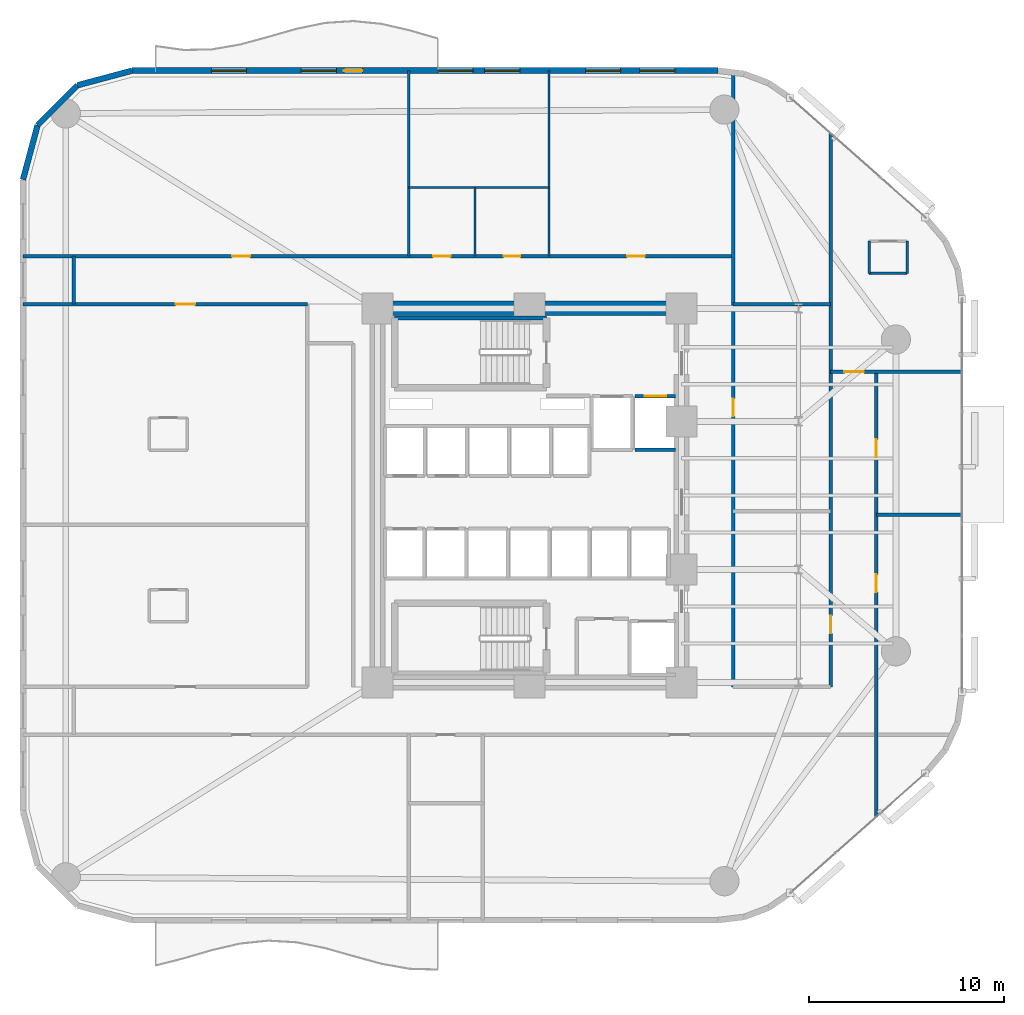
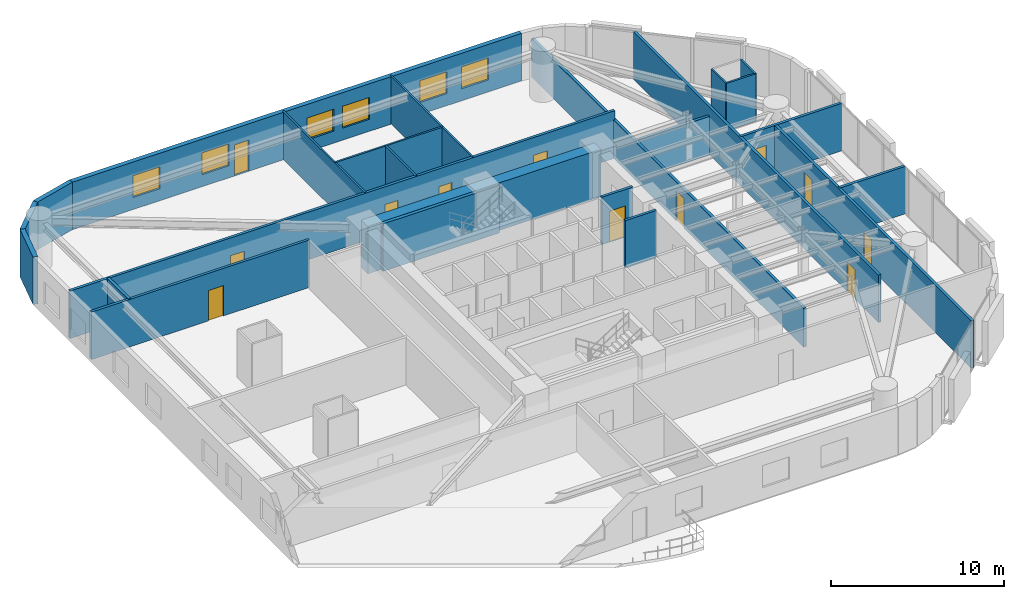
# One storey, part 12 of 16: 24 walls, 12 doors, 6 windows, 18 openings.
"""IFC4 building model written with IfcOpenShell, lengths in metres."""

from ifc_helpers import new_model, si_unit, direction, frame, frame_2d, origin, place, context, subcontext, project, spatial, rectangle, extrude, material, layer, layer_set, type_object, element, fill, save


model = new_model("IFC4")

# Units and contexts
model_context = context("Model", 3, precision=1e-05, world=origin(), true_north=direction((0.0, 1.0)))
body_context = subcontext(model_context, "Body", "Model", "MODEL_VIEW")
ifc_project = project(units=[si_unit("LENGTHUNIT", "METRE"), si_unit("AREAUNIT", "SQUARE_METRE"), si_unit("VOLUMEUNIT", "CUBIC_METRE"), si_unit("PLANEANGLEUNIT", "RADIAN"), si_unit("MASSUNIT", "GRAM", prefix="KILO")], contexts=[model_context])

# Site, building, storey
site_placement = place(None, origin())
site = spatial("IfcSite", under=ifc_project, at=site_placement, CompositionType="ELEMENT")
building_placement = place(site_placement, origin())
building = spatial("IfcBuilding", under=site, at=building_placement, Name="An Khanh Terracotta Commons", CompositionType="ELEMENT")
storey_placement = place(building_placement, frame((0.0, 0.0, 72.0)))
storey = spatial("IfcBuildingStorey", under=building, at=storey_placement, Name="L19", CompositionType="ELEMENT", Elevation=72.0)

# Wall
ifc_material_1 = material(Name="Concrete C70/85", Category="concrete")
ifc_layer_1 = layer(ifc_material_1, 0.75, Name="Concrete C70/85")
ifc_layer_set_1 = layer_set([ifc_layer_1], Name="Concrete C70/85")
wall_type_1 = type_object("IfcWallType", Name="WALL-CORE-750", PredefinedType="SHEAR", material=ifc_layer_set_1)
wall_1_placement = place(storey_placement, frame((21.60009765625, 33.60009765625, 0.0), z_axis=(0.0, 0.0, 1.0), x_axis=(1.0, 0.0, 0.0)))
element("IfcWall", 1, at=wall_1_placement, inside=storey, type_object=wall_type_1, Name="L19 Core Wall CWALL-L19-N", PredefinedType="SHEAR", context=body_context, shape_type="SweptSolid", body=[
    extrude(rectangle(XDim=15.599853515625, YDim=0.75, at=frame_2d((7.7998046875, 0.0))), origin(), (0.0, 0.0, 1.0), 3.360107421875),
])

# Wall, opening, door
ifc_material_2 = material(Name="Fire-Rated Gypsum Board on Steel Stud", Category="steel")
ifc_layer_2 = layer(ifc_material_2, 0.179931640625, Name="Fire-Rated Gypsum Board on Steel Stud")
ifc_layer_set_2 = layer_set([ifc_layer_2], Name="Fire-Rated Gypsum Board on Steel Stud")
wall_type_2 = type_object("IfcWallType", Name="WALL-CORR-180", PredefinedType="PARTITIONING", material=ifc_layer_set_2)
wall_2_placement = place(storey_placement, frame((34.820068359375, 29.080078125, 0.0), z_axis=(0.0, 0.0, 1.0), x_axis=(1.0, 0.0, 0.0)))
wall_2 = element("IfcWall", 2, at=wall_2_placement, inside=storey, type_object=wall_type_2, Name="L19 Core Wall LSH-L19-FFL-02-N", PredefinedType="PARTITIONING", context=body_context, shape_type="SweptSolid", body=[
    extrude(rectangle(XDim=2.079833984375, YDim=0.179931640625, at=frame_2d((1.0400390625, 0.0))), origin(), (0.0, 0.0, 1.0), 3.360107421875),
])
opening_1_placement = place(wall_2_placement, frame((0.489990234375, 0.0, 0.0)))
opening_1 = element("IfcOpeningElement", 3, at=opening_1_placement, cuts=wall_2, Name="Opening LD-FFL-02-L19", PredefinedType="OPENING", context=body_context, shape_type="SweptSolid", body=[
    extrude(rectangle(XDim=1.10009765625, YDim=2.199951171875, at=frame_2d((0.550048828125, 1.10009765625))), frame((0.0, 0.099853515625, 0.0), z_axis=(0.0, -1.0, 0.0), x_axis=(1.0, 0.0, 0.0)), (0.0, 0.0, 1.0), 0.199951171875),
])
ifc_material_3 = material(Name="Brushed Stainless Steel Fire Landing Door", Category="steel")
door_type_1 = type_object("IfcDoorType", Name="DOOR-LD-FFL-1100", OperationType="NOTDEFINED", PredefinedType="DOOR", material=ifc_material_3)
door_1_placement = place(opening_1_placement, origin())
door_1 = element("IfcDoor", 4, at=door_1_placement, inside=storey, type_object=door_type_1, Name="L19 Lift FFL-02 Sliding Landing Door", OperationType="DOUBLE_DOOR_SLIDING", OverallHeight=2.199951171875, OverallWidth=1.10009765625, PredefinedType="DOOR", context=body_context, shape_type="SweptSolid", body=[
    extrude(rectangle(XDim=1.10009765625, YDim=2.199951171875, at=frame_2d((0.550048828125, 1.10009765625))), frame((0.0, 0.02490234375, 0.0), z_axis=(0.0, -1.0, 0.0), x_axis=(1.0, 0.0, 0.0)), (0.0, 0.0, 1.0), 0.050048828125),
])
fill(opening_1, door_1)

# Walls
wall_3_placement = place(storey_placement, frame((36.89990234375, 26.35009765625, 0.0), z_axis=(0.0, 0.0, 1.0), x_axis=(-1.0, 0.0, 0.0)))
element("IfcWall", 5, at=wall_3_placement, inside=storey, type_object=wall_type_2, Name="L19 Core Wall LSH-L19-FFL-02-S", PredefinedType="PARTITIONING", context=body_context, shape_type="SweptSolid", body=[
    extrude(rectangle(XDim=2.079833984375, YDim=0.179931640625, at=frame_2d((1.0400390625, 0.0))), origin(), (0.0, 0.0, 1.0), 3.360107421875),
])
wall_4_placement = place(storey_placement, frame((47.199951171875, 23.0, 0.0), z_axis=(0.0, 0.0, 1.0), x_axis=(1.0, 0.0, 0.0)))
element("IfcWall", 6, at=wall_4_placement, inside=storey, type_object=wall_type_2, Name="L19 Interior Partition IW-L19-E006", PredefinedType="PARTITIONING", context=body_context, shape_type="SweptSolid", body=[
    extrude(rectangle(XDim=4.400146484375, YDim=0.179931640625, at=frame_2d((2.2001953125, 0.0))), origin(), (0.0, 0.0, 1.0), 3.360107421875),
])

# Wall, opening, door
wall_5_placement = place(storey_placement, frame((44.85009765625, 30.35009765625, 0.0), z_axis=(0.0, 0.0, 1.0), x_axis=(1.0, 0.0, 0.0)))
wall_5 = element("IfcWall", 7, at=wall_5_placement, inside=storey, type_object=wall_type_2, Name="L19 Interior Partition IW-L19-E008", PredefinedType="PARTITIONING", context=body_context, shape_type="SweptSolid", body=[
    extrude(rectangle(XDim=6.75, YDim=0.179931640625, at=frame_2d((3.375, 0.0))), origin(), (0.0, 0.0, 1.0), 3.360107421875),
])
opening_2_placement = place(wall_5_placement, frame((0.708984375, 0.0, 0.0)))
opening_2 = element("IfcOpeningElement", 8, at=opening_2_placement, cuts=wall_5, Name="Opening D-UN", PredefinedType="OPENING", context=body_context, shape_type="SweptSolid", body=[
    extrude(rectangle(XDim=1.0, YDim=2.14990234375, at=frame_2d((0.5, 1.074951171875))), frame((0.0, 0.099853515625, 0.0), z_axis=(0.0, -1.0, 0.0), x_axis=(1.0, 0.0, 0.0)), (0.0, 0.0, 1.0), 0.199951171875),
])
ifc_material_4 = material(Name="Solid-Core Hardwood Acoustic Fire Door", Category="wood")
door_type_2 = type_object("IfcDoorType", Name="DOOR-UNIT-1000", OperationType="NOTDEFINED", PredefinedType="DOOR", material=ifc_material_4)
door_2_placement = place(opening_2_placement, origin())
door_2 = element("IfcDoor", 9, at=door_2_placement, inside=storey, type_object=door_type_2, Name="L19 NCAP Kitchenette and Studio Apartment Door", OperationType="SINGLE_SWING_RIGHT", OverallHeight=2.14990234375, OverallWidth=1.0, PredefinedType="DOOR", context=body_context, shape_type="SweptSolid", body=[
    extrude(rectangle(XDim=1.0, YDim=2.14990234375, at=frame_2d((0.5, 1.074951171875))), frame((0.0, 0.02490234375, 0.0), z_axis=(0.0, -1.0, 0.0), x_axis=(1.0, 0.0, 0.0)), (0.0, 0.0, 1.0), 0.050048828125),
])
fill(opening_2, door_2)

wall_6_placement = place(storey_placement, frame((3.39990234375, 33.820068359375, 0.0), z_axis=(0.0, 0.0, 1.0), x_axis=(1.0, 0.0, 0.0)))
wall_6 = element("IfcWall", 10, at=wall_6_placement, inside=storey, type_object=wall_type_2, Name="L19 Interior Partition IW-L19-E010", PredefinedType="PARTITIONING", context=body_context, shape_type="SweptSolid", body=[
    extrude(rectangle(XDim=14.60009765625, YDim=0.179931640625, at=frame_2d((7.300048828125, 0.0))), origin(), (0.0, 0.0, 1.0), 3.360107421875),
])
opening_3_placement = place(wall_6_placement, frame((7.840087890625, 0.0, 0.0)))
opening_3 = element("IfcOpeningElement", 11, at=opening_3_placement, cuts=wall_6, Name="Opening D-UN", PredefinedType="OPENING", context=body_context, shape_type="SweptSolid", body=[
    extrude(rectangle(XDim=1.0, YDim=2.14990234375, at=frame_2d((0.5, 1.074951171875))), frame((0.0, 0.099853515625, 0.0), z_axis=(0.0, -1.0, 0.0), x_axis=(1.0, 0.0, 0.0)), (0.0, 0.0, 1.0), 0.199951171875),
])
door_3_placement = place(opening_3_placement, origin())
door_3 = element("IfcDoor", 12, at=door_3_placement, inside=storey, type_object=door_type_2, Name="L19 WW2 Kitchenette and Studio Apartment Door", OperationType="SINGLE_SWING_RIGHT", OverallHeight=2.14990234375, OverallWidth=1.0, PredefinedType="DOOR", context=body_context, shape_type="SweptSolid", body=[
    extrude(rectangle(XDim=1.0, YDim=2.14990234375, at=frame_2d((0.5, 1.074951171875))), frame((0.0, 0.02490234375, 0.0), z_axis=(0.0, -1.0, 0.0), x_axis=(1.0, 0.0, 0.0)), (0.0, 0.0, 1.0), 0.050048828125),
])
fill(opening_3, door_3)

# Wall
wall_7_placement = place(storey_placement, frame((39.85009765625, 33.820068359375, 0.0), z_axis=(0.0, 0.0, 1.0), x_axis=(1.0, 0.0, 0.0)))
element("IfcWall", 13, at=wall_7_placement, inside=storey, type_object=wall_type_2, Name="L19 Interior Partition IW-L19-E011", PredefinedType="PARTITIONING", context=body_context, shape_type="SweptSolid", body=[
    extrude(rectangle(XDim=5.0, YDim=0.179931640625, at=frame_2d((2.5, 0.0))), origin(), (0.0, 0.0, 1.0), 2.741943359375),
])

# Wall, openings, doors
wall_8_placement = place(storey_placement, frame((3.39990234375, 36.280029296875, 0.0), z_axis=(0.0, 0.0, 1.0), x_axis=(1.0, 0.0, 0.0)))
wall_8 = element("IfcWall", 14, at=wall_8_placement, inside=storey, type_object=wall_type_2, Name="L19 Interior Partition IW-L19-E012", PredefinedType="PARTITIONING", context=body_context, shape_type="SweptSolid", body=[
    extrude(rectangle(XDim=36.4501953125, YDim=0.179931640625, at=frame_2d((18.22509765625, 0.0))), origin(), (0.0, 0.0, 1.0), 3.360107421875),
])
opening_4_placement = place(wall_8_placement, frame((21.050048828125, 0.0, 0.0)))
opening_4 = element("IfcOpeningElement", 15, at=opening_4_placement, cuts=wall_8, Name="Opening D-WC", PredefinedType="OPENING", context=body_context, shape_type="SweptSolid", body=[
    extrude(rectangle(XDim=0.89990234375, YDim=2.10009765625, at=frame_2d((0.449951171875, 1.050048828125))), frame((0.0, 0.099853515625, 0.0), z_axis=(0.0, -1.0, 0.0), x_axis=(1.0, 0.0, 0.0)), (0.0, 0.0, 1.0), 0.199951171875),
])
opening_5_placement = place(wall_8_placement, frame((24.669921875, 0.0, 0.0)))
opening_5 = element("IfcOpeningElement", 16, at=opening_5_placement, cuts=wall_8, Name="Opening D-ENS", PredefinedType="OPENING", context=body_context, shape_type="SweptSolid", body=[
    extrude(rectangle(XDim=0.860107421875, YDim=2.10009765625, at=frame_2d((0.43017578125, 1.050048828125))), frame((0.0, 0.099853515625, 0.0), z_axis=(0.0, -1.0, 0.0), x_axis=(1.0, 0.0, 0.0)), (0.0, 0.0, 1.0), 0.199951171875),
])
opening_6_placement = place(wall_8_placement, frame((10.739990234375, 0.0, 0.0)))
opening_6 = element("IfcOpeningElement", 17, at=opening_6_placement, cuts=wall_8, Name="Opening D-RM", PredefinedType="OPENING", context=body_context, shape_type="SweptSolid", body=[
    extrude(rectangle(XDim=0.919921875, YDim=2.10009765625, at=frame_2d((0.4599609375, 1.050048828125))), frame((0.0, 0.099853515625, 0.0), z_axis=(0.0, -1.0, 0.0), x_axis=(1.0, 0.0, 0.0)), (0.0, 0.0, 1.0), 0.199951171875),
])
opening_7_placement = place(wall_8_placement, frame((31.0048828125, 0.0, 0.0)))
opening_7 = element("IfcOpeningElement", 18, at=opening_7_placement, cuts=wall_8, Name="Opening D-RM", PredefinedType="OPENING", context=body_context, shape_type="SweptSolid", body=[
    extrude(rectangle(XDim=0.919921875, YDim=2.10009765625, at=frame_2d((0.4599609375, 1.050048828125))), frame((0.0, 0.099853515625, 0.0), z_axis=(0.0, -1.0, 0.0), x_axis=(1.0, 0.0, 0.0)), (0.0, 0.0, 1.0), 0.199951171875),
])
ifc_material_5 = material(Name="Moisture-Resistant Hardwood Timber Leaf", Category="wood")
door_type_3 = type_object("IfcDoorType", Name="DOOR-BATH-860", OperationType="NOTDEFINED", PredefinedType="DOOR", material=ifc_material_5)
door_4_placement = place(opening_5_placement, origin())
door_4 = element("IfcDoor", 19, at=door_4_placement, inside=storey, type_object=door_type_3, Name="L19 SHW Resident Shared Shower and Washroom Door", OperationType="SINGLE_SWING_RIGHT", OverallHeight=2.10009765625, OverallWidth=0.860107421875, PredefinedType="DOOR", context=body_context, shape_type="SweptSolid", body=[
    extrude(rectangle(XDim=0.860107421875, YDim=2.10009765625, at=frame_2d((0.43017578125, 1.050048828125))), frame((0.0, 0.02490234375, 0.0), z_axis=(0.0, -1.0, 0.0), x_axis=(1.0, 0.0, 0.0)), (0.0, 0.0, 1.0), 0.050048828125),
])
fill(opening_5, door_4)
ifc_material_6 = material(Name="Engineered Hardwood Timber Leaf", Category="wood")
door_type_4 = type_object("IfcDoorType", Name="DOOR-INT-920", OperationType="NOTDEFINED", PredefinedType="DOOR", material=ifc_material_6)
door_5_placement = place(opening_6_placement, origin())
door_5 = element("IfcDoor", 20, at=door_5_placement, inside=storey, type_object=door_type_4, Name="L19 NW1 Academic Seminar Room Door", OperationType="SINGLE_SWING_LEFT", OverallHeight=2.10009765625, OverallWidth=0.919921875, PredefinedType="DOOR", context=body_context, shape_type="SweptSolid", body=[
    extrude(rectangle(XDim=0.919921875, YDim=2.10009765625, at=frame_2d((0.4599609375, 1.050048828125))), frame((0.0, 0.02490234375, 0.0), z_axis=(0.0, -1.0, 0.0), x_axis=(1.0, 0.0, 0.0)), (0.0, 0.0, 1.0), 0.050048828125),
])
fill(opening_6, door_5)
door_6_placement = place(opening_7_placement, origin())
door_6 = element("IfcDoor", 21, at=door_6_placement, inside=storey, type_object=door_type_4, Name="L19 NWE Academic Seminar Room Door", OperationType="SINGLE_SWING_RIGHT", OverallHeight=2.10009765625, OverallWidth=0.919921875, PredefinedType="DOOR", context=body_context, shape_type="SweptSolid", body=[
    extrude(rectangle(XDim=0.919921875, YDim=2.10009765625, at=frame_2d((0.4599609375, 1.050048828125))), frame((0.0, 0.02490234375, 0.0), z_axis=(0.0, -1.0, 0.0), x_axis=(1.0, 0.0, 0.0)), (0.0, 0.0, 1.0), 0.050048828125),
])
fill(opening_7, door_6)
ifc_material_7 = material(Name="Laminate Moisture-Resistant Timber Leaf", Category="wood")
door_type_5 = type_object("IfcDoorType", Name="DOOR-WC-900", OperationType="NOTDEFINED", PredefinedType="DOOR", material=ifc_material_7)
door_7_placement = place(opening_4_placement, origin())
door_7 = element("IfcDoor", 22, at=door_7_placement, inside=storey, type_object=door_type_5, Name="L19 AWC Accessible WC Door", OperationType="SINGLE_SWING_LEFT", OverallHeight=2.10009765625, OverallWidth=0.89990234375, PredefinedType="DOOR", context=body_context, shape_type="SweptSolid", body=[
    extrude(rectangle(XDim=0.89990234375, YDim=2.10009765625, at=frame_2d((0.449951171875, 1.050048828125))), frame((0.0, 0.02490234375, 0.0), z_axis=(0.0, -1.0, 0.0), x_axis=(1.0, 0.0, 0.0)), (0.0, 0.0, 1.0), 0.050048828125),
])
fill(opening_4, door_7)

# Wall
wall_9_placement = place(storey_placement, frame((6.0, 33.820068359375, 0.0), z_axis=(0.0, 0.0, 1.0), x_axis=(0.0, 1.0, 0.0)))
element("IfcWall", 23, at=wall_9_placement, inside=storey, type_object=wall_type_2, Name="L19 Interior Partition IW-L19-E015", PredefinedType="PARTITIONING", context=body_context, shape_type="SweptSolid", body=[
    extrude(rectangle(XDim=2.4599609375, YDim=0.179931640625, at=frame_2d((1.22998046875, 0.0))), origin(), (0.0, 0.0, 1.0), 3.360107421875),
])

# Wall, opening, door
wall_10_placement = place(storey_placement, frame((39.85009765625, 14.179931640625, 0.0), z_axis=(0.0, 0.0, 1.0), x_axis=(0.0, 1.0, 0.0)))
wall_10 = element("IfcWall", 24, at=wall_10_placement, inside=storey, type_object=wall_type_2, Name="L19 Interior Partition IW-L19-E023", PredefinedType="PARTITIONING", context=body_context, shape_type="SweptSolid", body=[
    extrude(rectangle(XDim=31.527099609375, YDim=0.179931640625, at=frame_2d((15.763671875, 0.0))), origin(), (0.0, 0.0, 1.0), 2.741943359375),
])
opening_8_placement = place(wall_10_placement, frame((13.8701171875, 0.0, 0.0)))
opening_8 = element("IfcOpeningElement", 25, at=opening_8_placement, cuts=wall_10, Name="Opening D-RM", PredefinedType="OPENING", context=body_context, shape_type="SweptSolid", body=[
    extrude(rectangle(XDim=0.919921875, YDim=2.10009765625, at=frame_2d((0.4599609375, 1.050048828125))), frame((0.0, 0.099853515625, 0.0), z_axis=(0.0, -1.0, 0.0), x_axis=(1.0, 0.0, 0.0)), (0.0, 0.0, 1.0), 0.199951171875),
])
door_8_placement = place(opening_8_placement, origin())
door_8 = element("IfcDoor", 26, at=door_8_placement, inside=storey, type_object=door_type_4, Name="L19 WSP2 Academic Seminar Room Door", OperationType="SINGLE_SWING_LEFT", OverallHeight=2.10009765625, OverallWidth=0.919921875, PredefinedType="DOOR", context=body_context, shape_type="SweptSolid", body=[
    extrude(rectangle(XDim=0.919921875, YDim=2.10009765625, at=frame_2d((0.4599609375, 1.050048828125))), frame((0.0, 0.02490234375, 0.0), z_axis=(0.0, -1.0, 0.0), x_axis=(1.0, 0.0, 0.0)), (0.0, 0.0, 1.0), 0.050048828125),
])
fill(opening_8, door_8)

wall_11_placement = place(storey_placement, frame((44.85009765625, 14.179931640625, 0.0), z_axis=(0.0, 0.0, 1.0), x_axis=(0.0, 1.0, 0.0)))
wall_11 = element("IfcWall", 27, at=wall_11_placement, inside=storey, type_object=wall_type_2, Name="L19 Interior Partition IW-L19-E024", PredefinedType="PARTITIONING", context=body_context, shape_type="SweptSolid", body=[
    extrude(rectangle(XDim=28.39111328125, YDim=0.179931640625, at=frame_2d((14.195556640625, 0.0))), origin(), (0.0, 0.0, 1.0), 3.360107421875),
])
opening_9_placement = place(wall_11_placement, frame((2.73388671875, 0.0, 0.0)))
opening_9 = element("IfcOpeningElement", 28, at=opening_9_placement, cuts=wall_11, Name="Opening D-RM", PredefinedType="OPENING", context=body_context, shape_type="SweptSolid", body=[
    extrude(rectangle(XDim=0.919921875, YDim=2.10009765625, at=frame_2d((0.4599609375, 1.050048828125))), frame((0.0, 0.099853515625, 0.0), z_axis=(0.0, -1.0, 0.0), x_axis=(1.0, 0.0, 0.0)), (0.0, 0.0, 1.0), 0.199951171875),
])
door_9_placement = place(opening_9_placement, origin())
door_9 = element("IfcDoor", 29, at=door_9_placement, inside=storey, type_object=door_type_4, Name="L19 WSP1 Collaborative Study Lounge Door", OperationType="SINGLE_SWING_RIGHT", OverallHeight=2.10009765625, OverallWidth=0.919921875, PredefinedType="DOOR", context=body_context, shape_type="SweptSolid", body=[
    extrude(rectangle(XDim=0.919921875, YDim=2.10009765625, at=frame_2d((0.4599609375, 1.050048828125))), frame((0.0, 0.02490234375, 0.0), z_axis=(0.0, -1.0, 0.0), x_axis=(1.0, 0.0, 0.0)), (0.0, 0.0, 1.0), 0.050048828125),
])
fill(opening_9, door_9)

# Wall, openings, doors
wall_12_placement = place(storey_placement, frame((47.199951171875, 7.508056640625, 0.0), z_axis=(0.0, 0.0, 1.0), x_axis=(0.0, 1.0, 0.0)))
wall_12 = element("IfcWall", 30, at=wall_12_placement, inside=storey, type_object=wall_type_2, Name="L19 Interior Partition IW-L19-E025", PredefinedType="PARTITIONING", context=body_context, shape_type="SweptSolid", body=[
    extrude(rectangle(XDim=22.842041015625, YDim=0.179931640625, at=frame_2d((11.4208984375, 0.0))), origin(), (0.0, 0.0, 1.0), 3.360107421875),
])
opening_10_placement = place(wall_12_placement, frame((18.447021484375, 0.0, 0.0)))
opening_10 = element("IfcOpeningElement", 31, at=opening_10_placement, cuts=wall_12, Name="Opening D-RM", PredefinedType="OPENING", context=body_context, shape_type="SweptSolid", body=[
    extrude(rectangle(XDim=0.919921875, YDim=2.10009765625, at=frame_2d((0.4599609375, 1.050048828125))), frame((0.0, 0.099853515625, 0.0), z_axis=(0.0, -1.0, 0.0), x_axis=(1.0, 0.0, 0.0)), (0.0, 0.0, 1.0), 0.199951171875),
])
opening_11_placement = place(wall_12_placement, frame((11.52392578125, 0.0, 0.0)))
opening_11 = element("IfcOpeningElement", 32, at=opening_11_placement, cuts=wall_12, Name="Opening D-RM", PredefinedType="OPENING", context=body_context, shape_type="SweptSolid", body=[
    extrude(rectangle(XDim=0.919921875, YDim=2.10009765625, at=frame_2d((0.4599609375, 1.050048828125))), frame((0.0, 0.099853515625, 0.0), z_axis=(0.0, -1.0, 0.0), x_axis=(1.0, 0.0, 0.0)), (0.0, 0.0, 1.0), 0.199951171875),
])
door_10_placement = place(opening_10_placement, origin())
door_10 = element("IfcDoor", 33, at=door_10_placement, inside=storey, type_object=door_type_4, Name="L19 ENO1 Co-Living Private Bedroom Door", OperationType="SINGLE_SWING_LEFT", OverallHeight=2.10009765625, OverallWidth=0.919921875, PredefinedType="DOOR", context=body_context, shape_type="SweptSolid", body=[
    extrude(rectangle(XDim=0.919921875, YDim=2.10009765625, at=frame_2d((0.4599609375, 1.050048828125))), frame((0.0, 0.02490234375, 0.0), z_axis=(0.0, -1.0, 0.0), x_axis=(1.0, 0.0, 0.0)), (0.0, 0.0, 1.0), 0.050048828125),
])
fill(opening_10, door_10)
door_11_placement = place(opening_11_placement, origin())
door_11 = element("IfcDoor", 34, at=door_11_placement, inside=storey, type_object=door_type_4, Name="L19 ENO2 Co-Living Master Bedroom Door", OperationType="SINGLE_SWING_RIGHT", OverallHeight=2.10009765625, OverallWidth=0.919921875, PredefinedType="DOOR", context=body_context, shape_type="SweptSolid", body=[
    extrude(rectangle(XDim=0.919921875, YDim=2.10009765625, at=frame_2d((0.4599609375, 1.050048828125))), frame((0.0, 0.02490234375, 0.0), z_axis=(0.0, -1.0, 0.0), x_axis=(1.0, 0.0, 0.0)), (0.0, 0.0, 1.0), 0.050048828125),
])
fill(opening_11, door_11)

# Wall, openings, door, windows
ifc_material_8 = material(Name="Precast concrete C40/50", Category="concrete")
ifc_layer_3 = layer(ifc_material_8, 0.300048828125, Name="Precast concrete C40/50")
ifc_layer_set_3 = layer_set([ifc_layer_3], Name="Precast concrete C40/50")
wall_type_3 = type_object("IfcWallType", Name="WALL-EXT-300", PredefinedType="SOLIDWALL", material=ifc_layer_set_3)
wall_13_placement = place(storey_placement, frame((39.0791015625, 45.800048828125, 0.0), z_axis=(0.0, 0.0, 1.0), x_axis=(-1.0, 0.0, 0.0)))
wall_13 = element("IfcWall", 35, at=wall_13_placement, inside=storey, type_object=wall_type_3, Name="L19 Insulated Terracotta Exterior Wall 20", PredefinedType="SOLIDWALL", context=body_context, shape_type="SweptSolid", body=[
    extrude(rectangle(XDim=30.0791015625, YDim=0.300048828125, at=frame_2d((15.03955078125, 0.0))), origin(), (0.0, 0.0, 1.0), 3.360107421875),
])
opening_12_placement = place(wall_13_placement, frame((18.25390625, 0.0, 0.0)))
opening_12 = element("IfcOpeningElement", 36, at=opening_12_placement, cuts=wall_13, Name="Opening D-BAL", PredefinedType="OPENING", context=body_context, shape_type="SweptSolid", body=[
    extrude(rectangle(XDim=0.949951171875, YDim=2.199951171875, at=frame_2d((0.47509765625, 1.10009765625))), frame((0.0, 0.159912109375, 0.0), z_axis=(0.0, -1.0, 0.0), x_axis=(1.0, 0.0, 0.0)), (0.0, 0.0, 1.0), 0.320068359375),
])
opening_13_placement = place(wall_13_placement, frame((2.22607421875, 0.0, 0.85009765625)))
opening_13 = element("IfcOpeningElement", 37, at=opening_13_placement, cuts=wall_13, Name="Opening W-01", PredefinedType="OPENING", context=body_context, shape_type="SweptSolid", body=[
    extrude(rectangle(XDim=1.800048828125, YDim=1.550048828125, at=frame_2d((0.89990234375, 0.77490234375))), frame((0.0, 0.159912109375, 0.0), z_axis=(0.0, -1.0, 0.0), x_axis=(1.0, 0.0, 0.0)), (0.0, 0.0, 1.0), 0.320068359375),
])
opening_14_placement = place(wall_13_placement, frame((5.0029296875, 0.0, 0.85009765625)))
opening_14 = element("IfcOpeningElement", 38, at=opening_14_placement, cuts=wall_13, Name="Opening W-01", PredefinedType="OPENING", context=body_context, shape_type="SweptSolid", body=[
    extrude(rectangle(XDim=1.800048828125, YDim=1.550048828125, at=frame_2d((0.89990234375, 0.77490234375))), frame((0.0, 0.159912109375, 0.0), z_axis=(0.0, -1.0, 0.0), x_axis=(1.0, 0.0, 0.0)), (0.0, 0.0, 1.0), 0.320068359375),
])
opening_15_placement = place(wall_13_placement, frame((10.178955078125, 0.0, 0.85009765625)))
opening_15 = element("IfcOpeningElement", 39, at=opening_15_placement, cuts=wall_13, Name="Opening W-01", PredefinedType="OPENING", context=body_context, shape_type="SweptSolid", body=[
    extrude(rectangle(XDim=1.800048828125, YDim=1.550048828125, at=frame_2d((0.89990234375, 0.77490234375))), frame((0.0, 0.159912109375, 0.0), z_axis=(0.0, -1.0, 0.0), x_axis=(1.0, 0.0, 0.0)), (0.0, 0.0, 1.0), 0.320068359375),
])
opening_16_placement = place(wall_13_placement, frame((12.5791015625, 0.0, 0.85009765625)))
opening_16 = element("IfcOpeningElement", 40, at=opening_16_placement, cuts=wall_13, Name="Opening W-01", PredefinedType="OPENING", context=body_context, shape_type="SweptSolid", body=[
    extrude(rectangle(XDim=1.800048828125, YDim=1.550048828125, at=frame_2d((0.89990234375, 0.77490234375))), frame((0.0, 0.159912109375, 0.0), z_axis=(0.0, -1.0, 0.0), x_axis=(1.0, 0.0, 0.0)), (0.0, 0.0, 1.0), 0.320068359375),
])
opening_17_placement = place(wall_13_placement, frame((19.595947265625, 0.0, 0.85009765625)))
opening_17 = element("IfcOpeningElement", 41, at=opening_17_placement, cuts=wall_13, Name="Opening W-01", PredefinedType="OPENING", context=body_context, shape_type="SweptSolid", body=[
    extrude(rectangle(XDim=1.800048828125, YDim=1.550048828125, at=frame_2d((0.89990234375, 0.77490234375))), frame((0.0, 0.159912109375, 0.0), z_axis=(0.0, -1.0, 0.0), x_axis=(1.0, 0.0, 0.0)), (0.0, 0.0, 1.0), 0.320068359375),
])
opening_18_placement = place(wall_13_placement, frame((24.2119140625, 0.0, 0.85009765625)))
opening_18 = element("IfcOpeningElement", 42, at=opening_18_placement, cuts=wall_13, Name="Opening W-01", PredefinedType="OPENING", context=body_context, shape_type="SweptSolid", body=[
    extrude(rectangle(XDim=1.800048828125, YDim=1.550048828125, at=frame_2d((0.89990234375, 0.77490234375))), frame((0.0, 0.159912109375, 0.0), z_axis=(0.0, -1.0, 0.0), x_axis=(1.0, 0.0, 0.0)), (0.0, 0.0, 1.0), 0.320068359375),
])
ifc_material_9 = material(Name="Thermally Broken Aluminium and Low-E Glass", Category="aluminium")
door_type_6 = type_object("IfcDoorType", Name="DOOR-BALC-950", OperationType="NOTDEFINED", PredefinedType="DOOR", material=ifc_material_9)
door_12_placement = place(opening_12_placement, origin())
door_12 = element("IfcDoor", 43, at=door_12_placement, inside=storey, type_object=door_type_6, Name="L19 N Wave Balcony Glazed Door", OperationType="SINGLE_SWING_RIGHT", OverallHeight=2.199951171875, OverallWidth=0.949951171875, PredefinedType="DOOR", context=body_context, shape_type="SweptSolid", body=[
    extrude(rectangle(XDim=0.949951171875, YDim=2.199951171875, at=frame_2d((0.47509765625, 1.10009765625))), frame((0.0, 0.02490234375, 0.0), z_axis=(0.0, -1.0, 0.0), x_axis=(1.0, 0.0, 0.0)), (0.0, 0.0, 1.0), 0.050048828125),
])
fill(opening_12, door_12)
window_type = type_object("IfcWindowType", Name="WIN-Z1-1800x1550", PartitioningType="DOUBLE_PANEL_VERTICAL", PredefinedType="WINDOW", material=ifc_material_9)
window_1_placement = place(opening_13_placement, origin())
window_1 = element("IfcWindow", 44, at=window_1_placement, inside=storey, type_object=window_type, Name="L19 Operable Casement Window 20.1", OverallHeight=1.550048828125, OverallWidth=1.800048828125, PartitioningType="DOUBLE_PANEL_VERTICAL", PredefinedType="WINDOW", context=body_context, shape_type="SweptSolid", body=[
    extrude(rectangle(XDim=1.800048828125, YDim=1.550048828125, at=frame_2d((0.89990234375, 0.77490234375))), frame((0.0, 0.030029296875, 0.0), z_axis=(0.0, -1.0, 0.0), x_axis=(1.0, 0.0, 0.0)), (0.0, 0.0, 1.0), 0.06005859375),
])
fill(opening_13, window_1)
window_2_placement = place(opening_14_placement, origin())
window_2 = element("IfcWindow", 45, at=window_2_placement, inside=storey, type_object=window_type, Name="L19 Operable Casement Window 20.2", OverallHeight=1.550048828125, OverallWidth=1.800048828125, PartitioningType="DOUBLE_PANEL_VERTICAL", PredefinedType="WINDOW", context=body_context, shape_type="SweptSolid", body=[
    extrude(rectangle(XDim=1.800048828125, YDim=1.550048828125, at=frame_2d((0.89990234375, 0.77490234375))), frame((0.0, 0.030029296875, 0.0), z_axis=(0.0, -1.0, 0.0), x_axis=(1.0, 0.0, 0.0)), (0.0, 0.0, 1.0), 0.06005859375),
])
fill(opening_14, window_2)
window_3_placement = place(opening_15_placement, origin())
window_3 = element("IfcWindow", 46, at=window_3_placement, inside=storey, type_object=window_type, Name="L19 Operable Casement Window 20.3", OverallHeight=1.550048828125, OverallWidth=1.800048828125, PartitioningType="DOUBLE_PANEL_VERTICAL", PredefinedType="WINDOW", context=body_context, shape_type="SweptSolid", body=[
    extrude(rectangle(XDim=1.800048828125, YDim=1.550048828125, at=frame_2d((0.89990234375, 0.77490234375))), frame((0.0, 0.030029296875, 0.0), z_axis=(0.0, -1.0, 0.0), x_axis=(1.0, 0.0, 0.0)), (0.0, 0.0, 1.0), 0.06005859375),
])
fill(opening_15, window_3)
window_4_placement = place(opening_16_placement, origin())
window_4 = element("IfcWindow", 47, at=window_4_placement, inside=storey, type_object=window_type, Name="L19 Operable Casement Window 20.4", OverallHeight=1.550048828125, OverallWidth=1.800048828125, PartitioningType="DOUBLE_PANEL_VERTICAL", PredefinedType="WINDOW", context=body_context, shape_type="SweptSolid", body=[
    extrude(rectangle(XDim=1.800048828125, YDim=1.550048828125, at=frame_2d((0.89990234375, 0.77490234375))), frame((0.0, 0.030029296875, 0.0), z_axis=(0.0, -1.0, 0.0), x_axis=(1.0, 0.0, 0.0)), (0.0, 0.0, 1.0), 0.06005859375),
])
fill(opening_16, window_4)
window_5_placement = place(opening_17_placement, origin())
window_5 = element("IfcWindow", 48, at=window_5_placement, inside=storey, type_object=window_type, Name="L19 Operable Casement Window 20.5", OverallHeight=1.550048828125, OverallWidth=1.800048828125, PartitioningType="DOUBLE_PANEL_VERTICAL", PredefinedType="WINDOW", context=body_context, shape_type="SweptSolid", body=[
    extrude(rectangle(XDim=1.800048828125, YDim=1.550048828125, at=frame_2d((0.89990234375, 0.77490234375))), frame((0.0, 0.030029296875, 0.0), z_axis=(0.0, -1.0, 0.0), x_axis=(1.0, 0.0, 0.0)), (0.0, 0.0, 1.0), 0.06005859375),
])
fill(opening_17, window_5)
window_6_placement = place(opening_18_placement, origin())
window_6 = element("IfcWindow", 49, at=window_6_placement, inside=storey, type_object=window_type, Name="L19 Operable Casement Window 20.6", OverallHeight=1.550048828125, OverallWidth=1.800048828125, PartitioningType="DOUBLE_PANEL_VERTICAL", PredefinedType="WINDOW", context=body_context, shape_type="SweptSolid", body=[
    extrude(rectangle(XDim=1.800048828125, YDim=1.550048828125, at=frame_2d((0.89990234375, 0.77490234375))), frame((0.0, 0.030029296875, 0.0), z_axis=(0.0, -1.0, 0.0), x_axis=(1.0, 0.0, 0.0)), (0.0, 0.0, 1.0), 0.06005859375),
])
fill(opening_18, window_6)

# Walls
wall_14_placement = place(storey_placement, frame((9.0, 45.800048828125, 0.0), z_axis=(0.0, 0.0, 1.0), x_axis=(-0.96594917914, -0.258731875344, 0.0)))
element("IfcWall", 50, at=wall_14_placement, inside=storey, type_object=wall_type_3, Name="L19 Insulated Terracotta Exterior Wall 21", PredefinedType="SOLIDWALL", context=body_context, shape_type="SweptSolid", body=[
    extrude(rectangle(XDim=2.898681640625, YDim=0.300048828125, at=frame_2d((1.44921875, 0.0))), origin(), (0.0, 0.0, 1.0), 3.360107421875),
])
wall_15_placement = place(storey_placement, frame((6.199951171875, 45.050048828125, 0.0), z_axis=(0.0, 0.0, 1.0), x_axis=(-0.707106781187, -0.707106781187, 0.0)))
element("IfcWall", 51, at=wall_15_placement, inside=storey, type_object=wall_type_3, Name="L19 Insulated Terracotta Exterior Wall 22", PredefinedType="SOLIDWALL", context=body_context, shape_type="SweptSolid", body=[
    extrude(rectangle(XDim=2.899169921875, YDim=0.300048828125, at=frame_2d((1.44970703125, 0.0))), origin(), (0.0, 0.0, 1.0), 3.360107421875),
])
wall_16_placement = place(storey_placement, frame((4.14990234375, 43.0, 0.0), z_axis=(0.0, 0.0, 1.0), x_axis=(-0.258731875344, -0.96594917914, 0.0)))
element("IfcWall", 52, at=wall_16_placement, inside=storey, type_object=wall_type_3, Name="L19 Insulated Terracotta Exterior Wall 23", PredefinedType="SOLIDWALL", context=body_context, shape_type="SweptSolid", body=[
    extrude(rectangle(XDim=2.898681640625, YDim=0.300048828125, at=frame_2d((1.44921875, 0.0))), origin(), (0.0, 0.0, 1.0), 3.360107421875),
])
ifc_material_10 = material(Name="Acoustic Double-Stud Gypsum and Mineral Wool")
ifc_layer_4 = layer(ifc_material_10, 0.219970703125, Name="Acoustic Double-Stud Gypsum and Mineral Wool")
ifc_layer_set_4 = layer_set([ifc_layer_4], Name="Acoustic Double-Stud Gypsum and Mineral Wool")
wall_type_4 = type_object("IfcWallType", Name="WALL-PARTY-220", PredefinedType="PARTITIONING", material=ifc_layer_set_4)
wall_17_placement = place(storey_placement, frame((22.47998046875, 33.110107421875, 0.0), z_axis=(0.0, 0.0, 1.0), x_axis=(1.0, 0.0, 0.0)))
element("IfcWall", 53, at=wall_17_placement, inside=storey, type_object=wall_type_4, Name="L19 Core Wall STW-L19-N-N", PredefinedType="PARTITIONING", context=body_context, shape_type="SweptSolid", body=[
    extrude(rectangle(XDim=7.7900390625, YDim=0.219970703125, at=frame_2d((3.89501953125, 0.0))), origin(), (0.0, 0.0, 1.0), 3.360107421875),
])
ifc_material_11 = material(Name="Moisture-Resistant Cement Board Partition")
ifc_layer_5 = layer(ifc_material_11, 0.1201171875, Name="Moisture-Resistant Cement Board Partition")
ifc_layer_set_5 = layer_set([ifc_layer_5], Name="Moisture-Resistant Cement Board Partition")
wall_type_5 = type_object("IfcWallType", Name="WALL-WET-120", PredefinedType="PARTITIONING", material=ifc_layer_set_5)
wall_18_placement = place(storey_placement, frame((48.781982421875, 35.39794921875, 0.0), z_axis=(0.0, 0.0, 1.0), x_axis=(-1.0, 0.0, 0.0)))
element("IfcWall", 54, at=wall_18_placement, inside=storey, type_object=wall_type_5, Name="L19 Interior Partition IW-L19-NCAP-BS", PredefinedType="PARTITIONING", context=body_context, shape_type="SweptSolid", body=[
    extrude(rectangle(XDim=1.949951171875, YDim=0.1201171875, at=frame_2d((0.97509765625, 0.0))), origin(), (0.0, 0.0, 1.0), 3.360107421875),
])
for number, where, z_axis, x_axis, name in (
    (55, (46.83203125, 37.048095703125, 0.0), (0.0, 0.0, 1.0), (0.0, -1.0, 0.0), "L19 Interior Partition IW-L19-NCAP-BW"),
    (56, (48.781982421875, 35.39794921875, 0.0), (0.0, 0.0, 1.0), (0.0, 1.0, 0.0), "L19 Interior Partition IW-L19-NCAP-BE"),
):
    element("IfcWall", number, at=place(storey_placement, frame(where, z_axis=z_axis, x_axis=x_axis)), inside=storey, type_object=wall_type_5, Name=name, PredefinedType="PARTITIONING", context=body_context, shape_type="SweptSolid", body=[
        extrude(rectangle(XDim=1.650146484375, YDim=0.1201171875, at=frame_2d((0.8251953125, 0.0))), origin(), (0.0, 0.0, 1.0), 3.360107421875),
    ])
wall_19_placement = place(storey_placement, frame((23.199951171875, 39.800048828125, 0.0), z_axis=(0.0, 0.0, 1.0), x_axis=(1.0, 0.0, 0.0)))
element("IfcWall", 57, at=wall_19_placement, inside=storey, type_object=wall_type_5, Name="L19 Interior Partition IW-L19-E013", PredefinedType="PARTITIONING", context=body_context, shape_type="SweptSolid", body=[
    extrude(rectangle(XDim=7.199951171875, YDim=0.1201171875, at=frame_2d((3.60009765625, 0.0))), origin(), (0.0, 0.0, 1.0), 3.360107421875),
])
wall_20_placement = place(storey_placement, frame((23.199951171875, 36.280029296875, 0.0), z_axis=(0.0, 0.0, 1.0), x_axis=(0.0, 1.0, 0.0)))
element("IfcWall", 58, at=wall_20_placement, inside=storey, type_object=wall_type_5, Name="L19 Interior Partition IW-L19-E019", PredefinedType="PARTITIONING", context=body_context, shape_type="SweptSolid", body=[
    extrude(rectangle(XDim=9.52001953125, YDim=0.1201171875, at=frame_2d((4.760009765625, 0.0))), origin(), (0.0, 0.0, 1.0), 3.360107421875),
])
wall_21_placement = place(storey_placement, frame((26.60009765625, 36.280029296875, 0.0), z_axis=(0.0, 0.0, 1.0), x_axis=(0.0, 1.0, 0.0)))
element("IfcWall", 59, at=wall_21_placement, inside=storey, type_object=wall_type_5, Name="L19 Interior Partition IW-L19-E020", PredefinedType="PARTITIONING", context=body_context, shape_type="SweptSolid", body=[
    extrude(rectangle(XDim=3.52001953125, YDim=0.1201171875, at=frame_2d((1.760009765625, 0.0))), origin(), (0.0, 0.0, 1.0), 3.360107421875),
])
wall_22_placement = place(storey_placement, frame((30.39990234375, 36.280029296875, 0.0), z_axis=(0.0, 0.0, 1.0), x_axis=(0.0, 1.0, 0.0)))
element("IfcWall", 60, at=wall_22_placement, inside=storey, type_object=wall_type_5, Name="L19 Interior Partition IW-L19-E022", PredefinedType="PARTITIONING", context=body_context, shape_type="SweptSolid", body=[
    extrude(rectangle(XDim=9.52001953125, YDim=0.1201171875, at=frame_2d((4.760009765625, 0.0))), origin(), (0.0, 0.0, 1.0), 3.360107421875),
])

save(model, "model.ifc")
